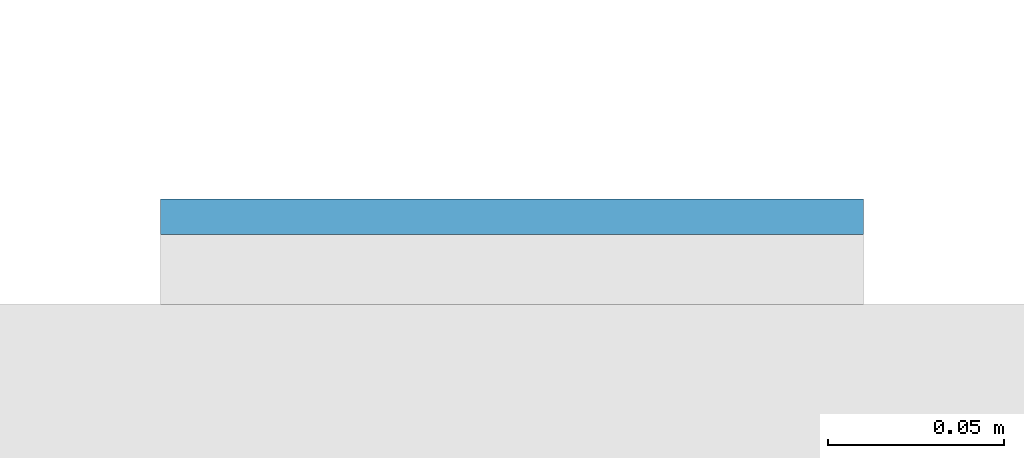
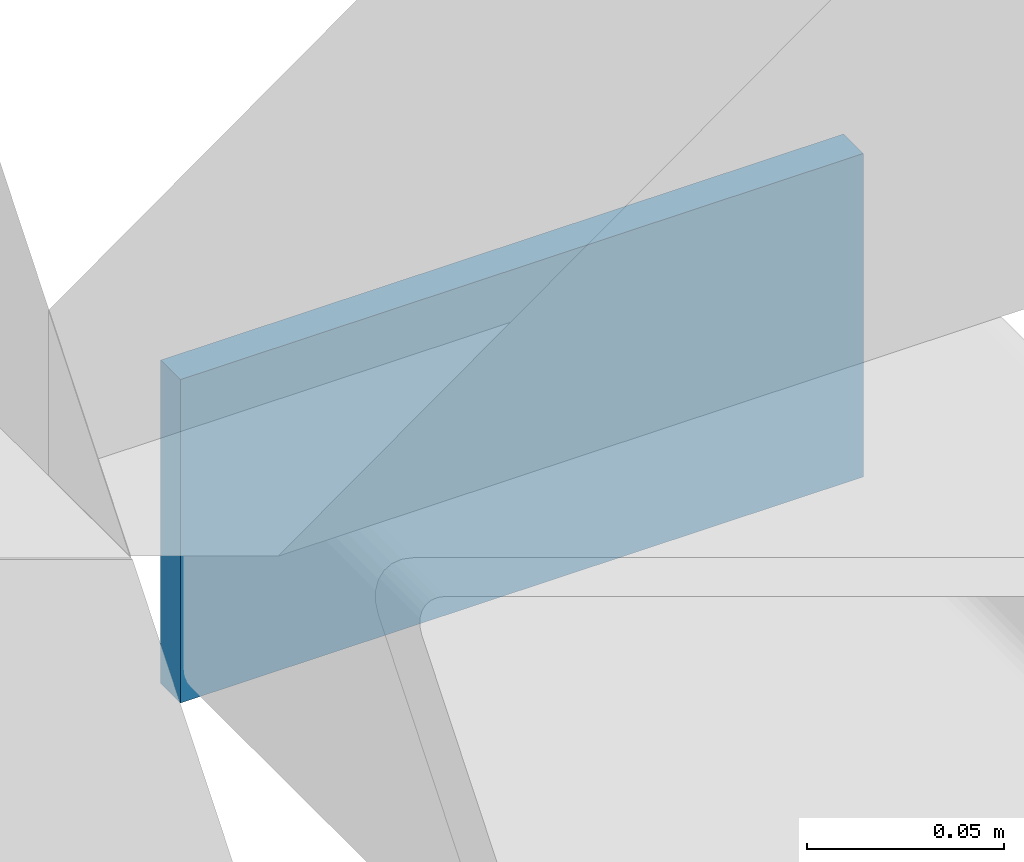
# One storey, part 11 of 20: 1 plate.
"""IFC4 building model written with IfcOpenShell, lengths in metres."""

from ifc_helpers import new_model, si_unit, direction, frame, origin, origin_2d, place, context, subcontext, project, spatial, rectangle, extrude, material, layer, layer_set, type_object, element, save


model = new_model("IFC4")

# Units and contexts
model_context = context("Model", 3, precision=1e-05, world=origin(), true_north=direction((0.0, 1.0)))
body_context = subcontext(model_context, "Body", "Model", "MODEL_VIEW")
ifc_project = project(units=[si_unit("LENGTHUNIT", "METRE"), si_unit("AREAUNIT", "SQUARE_METRE"), si_unit("VOLUMEUNIT", "CUBIC_METRE"), si_unit("PLANEANGLEUNIT", "RADIAN"), si_unit("MASSUNIT", "GRAM", prefix="KILO")], contexts=[model_context])

# Site, building, storey
site_placement = place(None, origin())
site = spatial("IfcSite", under=ifc_project, at=site_placement, CompositionType="ELEMENT")
building_placement = place(site_placement, origin())
building = spatial("IfcBuilding", under=site, at=building_placement, Name="Cleftline Residences", CompositionType="ELEMENT")
storey_placement = place(building_placement, frame((0.0, 0.0, 153.800048828125)))
storey = spatial("IfcBuildingStorey", under=building, at=storey_placement, Name="L40", CompositionType="ELEMENT", Elevation=153.800048828125)

# Plate
ifc_material = material(Name="Steel S355, hot-dip galvanised", Category="steel")
ifc_layer = layer(ifc_material, 0.010009765625)
ifc_layer_set = layer_set([ifc_layer], Name="BAGUETTE CARRIER END PLATE 200X100X10")
plate_type = type_object("IfcPlateType", Name="BAGUETTE CARRIER END PLATE 200X100X10", PredefinedType="USERDEFINED", material=ifc_layer_set)
plate_placement = place(storey_placement, frame((66.85009765625, 44.304931640625, -0.10009765625), z_axis=(0.0, 0.0, 1.0), x_axis=(1.0, 0.0, 0.0)))
element("IfcPlate", 1, at=plate_placement, inside=storey, type_object=plate_type, Name="Baguette carrier end plate", ObjectType="BAGUETTE CARRIER END PLATE", PredefinedType="USERDEFINED", context=body_context, shape_type="SweptSolid", body=[
    extrude(rectangle(XDim=0.199951171875, YDim=0.010009765625, at=origin_2d()), origin(), (0.0, 0.0, 1.0), 0.10009765625),
])

save(model, "model.ifc")
